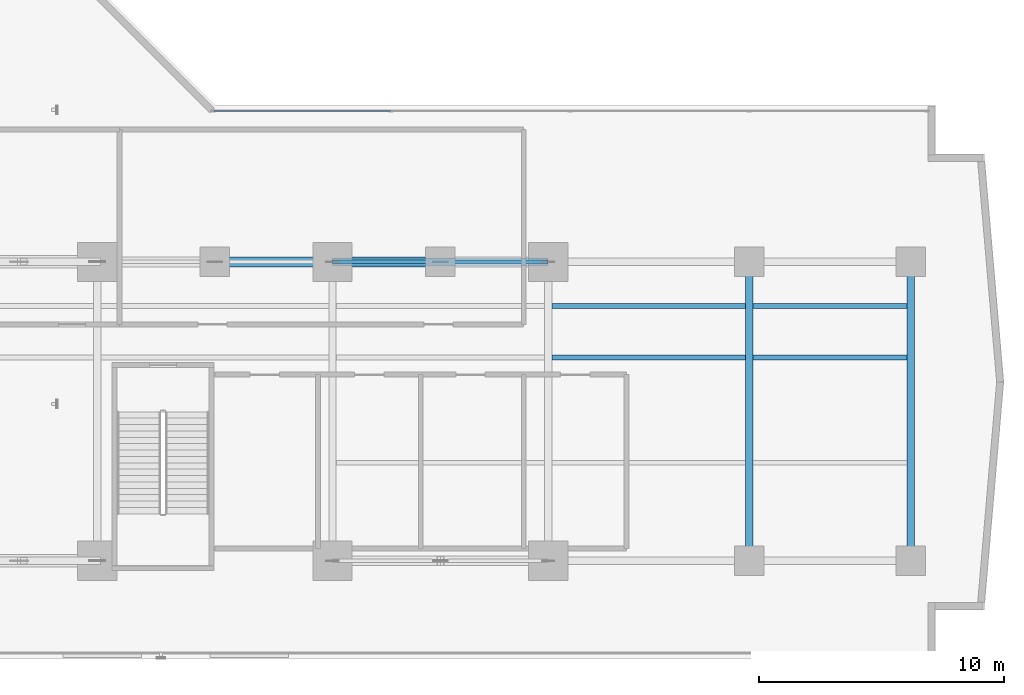
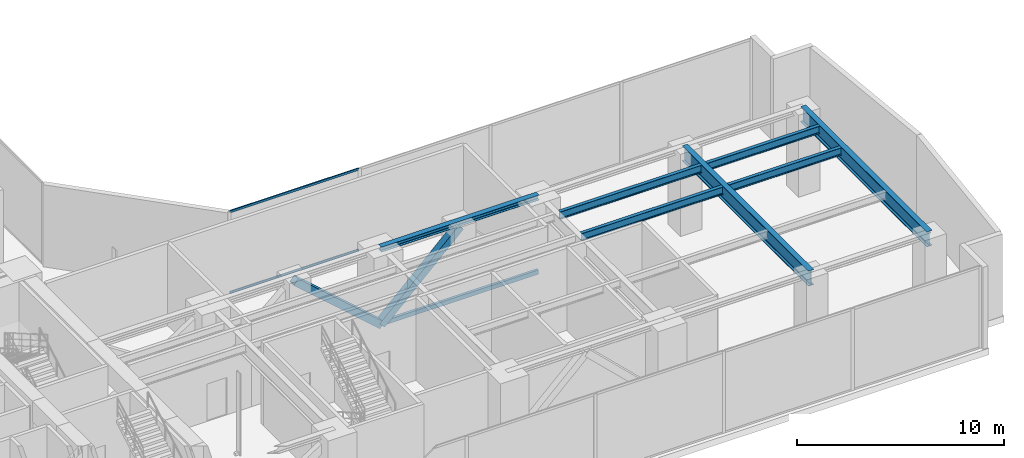
# One storey, part 19 of 36: 7 beams, 5 members, 1 element without a shape of its own.
"""IFC4 building model written with IfcOpenShell, lengths in metres."""

from ifc_helpers import new_model, si_unit, direction, frame, origin, origin_with_axes, origin_2d, place, context, subcontext, project, spatial, hollow_rectangle, i_section, extrude, source, transform, mapped, material, layer, layer_set, material_profile, profile_set, type_object, element, aggregate, save


model = new_model("IFC4")

# Units and contexts
model_context = context("Model", 3, precision=1e-05, world=origin(), true_north=direction((0.0, 1.0)))
body_context = subcontext(model_context, "Body", "Model", "MODEL_VIEW")
ifc_project = project(units=[si_unit("LENGTHUNIT", "METRE"), si_unit("AREAUNIT", "SQUARE_METRE"), si_unit("VOLUMEUNIT", "CUBIC_METRE"), si_unit("PLANEANGLEUNIT", "RADIAN"), si_unit("MASSUNIT", "GRAM", prefix="KILO")], contexts=[model_context])

# Site, building, storey
site_placement = place(None, origin())
site = spatial("IfcSite", under=ifc_project, at=site_placement, CompositionType="ELEMENT")
building_placement = place(site_placement, origin())
building = spatial("IfcBuilding", under=site, at=building_placement, Name="Kolvaren Waterfront Exchange", CompositionType="ELEMENT")
storey_placement = place(building_placement, frame((0.0, 0.0, 82.800048828125)))
storey = spatial("IfcBuildingStorey", under=building, at=storey_placement, Name="L21", CompositionType="ELEMENT", Elevation=82.800048828125)

# Beams
ifc_material_1 = material(Name="Steel S355", Category="steel")
ifc_material_profile_1 = material_profile(ifc_material_1, i_section(OverallWidth=0.300048828125, OverallDepth=0.300048828125, WebThickness=0.010986328125, FlangeThickness=0.01904296875, FilletRadius=0.027099609375, at=origin_2d()), Name="HEB300")
ifc_profile_set_1 = profile_set([ifc_material_profile_1], Name="Steel S355")
beam_type_1 = type_object("IfcBeamType", Name="STR-BM-HEB300", PredefinedType="SPANDREL", material=ifc_profile_set_1)
beam_placement = place(storey_placement, frame((36.800048828125, 17.39990234375, 4.68994140625), z_axis=(1.0, 0.0, 0.0), x_axis=(0.0, 1.0, 0.0)))
element("IfcBeam", 1, at=beam_placement, inside=storey, type_object=beam_type_1, Name="L21 east-arm spandrel N3", PredefinedType="SPANDREL", context=body_context, shape_type="SweptSolid", body=[
    extrude(i_section(OverallWidth=0.300048828125, OverallDepth=0.300048828125, WebThickness=0.010986328125, FlangeThickness=0.01904296875, FilletRadius=0.027099609375, at=origin_2d()), origin(), (0.0, 0.0, 1.0), 8.800048828125),
])
ifc_material_profile_2 = material_profile(ifc_material_1, i_section(OverallWidth=0.300048828125, OverallDepth=0.89990234375, WebThickness=0.0185546875, FlangeThickness=0.034912109375, FilletRadius=0.030029296875, at=origin_2d()), Name="HEB900")
ifc_profile_set_2 = profile_set([ifc_material_profile_2], Name="Steel S355")
beam_type_2 = type_object("IfcBeamType", Name="STR-BM-HEB900", PredefinedType="BEAM", material=ifc_profile_set_2)
for number, where, z_axis, x_axis, name in (
    (2, (53.800048828125, 5.199951171875, 4.389892578125), (0.0, 1.0, 0.0), (-1.0, 0.0, 0.0), "L21 east-arm transverse girder X53"),
    (3, (60.39990234375, 5.199951171875, 4.389892578125), (0.0, 1.0, 0.0), (-1.0, 0.0, 0.0), "L21 east-arm transverse girder X60"),
):
    element("IfcBeam", number, at=place(storey_placement, frame(where, z_axis=z_axis, x_axis=x_axis)), inside=storey, type_object=beam_type_2, Name=name, PredefinedType="BEAM", context=body_context, shape_type="SweptSolid", body=[
        extrude(i_section(OverallWidth=0.300048828125, OverallDepth=0.89990234375, WebThickness=0.0185546875, FlangeThickness=0.034912109375, FilletRadius=0.030029296875, at=origin_2d()), origin(), (0.0, 0.0, 1.0), 12.199951171875),
    ])
ifc_material_profile_3 = material_profile(ifc_material_1, i_section(OverallWidth=0.18994140625, OverallDepth=0.449951171875, WebThickness=0.009521484375, FlangeThickness=0.0146484375, FilletRadius=0.02099609375, at=origin_2d()), Name="IPE450")
ifc_profile_set_3 = profile_set([ifc_material_profile_3], Name="Steel S355")
beam_type_3 = type_object("IfcBeamType", Name="STR-BM-IPE450", PredefinedType="JOIST", material=ifc_profile_set_3)
for number, where, z_axis, x_axis, name in (
    (4, (45.751953125, 13.5, 4.614990234375), (1.0, 0.0, 0.0), (0.0, 1.0, 0.0), "L21 east-arm composite joist 4A"),
    (5, (45.751953125, 15.60009765625, 4.614990234375), (1.0, 0.0, 0.0), (0.0, 1.0, 0.0), "L21 east-arm composite joist 4C"),
):
    element("IfcBeam", number, at=place(storey_placement, frame(where, z_axis=z_axis, x_axis=x_axis)), inside=storey, type_object=beam_type_3, Name=name, PredefinedType="JOIST", context=body_context, shape_type="SweptSolid", body=[
        extrude(i_section(OverallWidth=0.18994140625, OverallDepth=0.449951171875, WebThickness=0.009521484375, FlangeThickness=0.0146484375, FilletRadius=0.02099609375, at=origin_2d()), origin(), (0.0, 0.0, 1.0), 7.89599609375),
    ])
for number, where, z_axis, x_axis, name in (
    (6, (53.951904296875, 13.5, 4.614990234375), (1.0, 0.0, 0.0), (0.0, 1.0, 0.0), "L21 east-arm composite joist 5A"),
    (7, (53.951904296875, 15.60009765625, 4.614990234375), (1.0, 0.0, 0.0), (0.0, 1.0, 0.0), "L21 east-arm composite joist 5C"),
):
    element("IfcBeam", number, at=place(storey_placement, frame(where, z_axis=z_axis, x_axis=x_axis)), inside=storey, type_object=beam_type_3, Name=name, PredefinedType="JOIST", context=body_context, shape_type="SweptSolid", body=[
        extrude(i_section(OverallWidth=0.18994140625, OverallDepth=0.449951171875, WebThickness=0.009521484375, FlangeThickness=0.0146484375, FilletRadius=0.02099609375, at=origin_2d()), origin(), (0.0, 0.0, 1.0), 6.296142578125),
    ])

# Members
ifc_material_2 = material(Name="Steel S460", Category="steel")
ifc_material_profile_4 = material_profile(ifc_material_2, hollow_rectangle(XDim=0.14990234375, YDim=0.25, WallThickness=0.010009765625, at=origin_2d()), Name="RHS250x150x10")
ifc_profile_set_4 = profile_set([ifc_material_profile_4], Name="Steel S460")
member_type_1 = type_object("IfcMemberType", Name="STR-BR-RHS250", PredefinedType="CHORD", material=ifc_profile_set_4)
member_1_placement = place(storey_placement, frame((36.800048828125, 17.39990234375, 0.25), z_axis=(1.0, 0.0, 0.0), x_axis=(0.0, 1.0, 0.0)))
element("IfcMember", 8, at=member_1_placement, inside=storey, type_object=member_type_1, Name="L21 belt-truss bottom chord BT2", PredefinedType="CHORD", context=body_context, shape_type="SweptSolid", body=[
    extrude(hollow_rectangle(XDim=0.14990234375, YDim=0.25, WallThickness=0.010009765625, at=origin_2d()), origin(), (0.0, 0.0, 1.0), 8.800048828125),
])
ifc_material_profile_5 = material_profile(ifc_material_2, hollow_rectangle(XDim=0.39990234375, YDim=0.39990234375, WallThickness=0.02001953125, at=origin_2d()), Name="SHS400x400x20")
ifc_profile_set_5 = profile_set([ifc_material_profile_5], Name="Steel S460")
member_type_2 = type_object("IfcMemberType", Name="STR-BR-SHS400", PredefinedType="BRACE", material=ifc_profile_set_5)
member_2_placement = place(storey_placement, frame((36.800048828125, 17.39990234375, 0.25), z_axis=(-0.749477309861, 0.0, 0.662030031044), x_axis=(0.0, -1.0, 0.0)))
element("IfcMember", 9, at=member_2_placement, inside=storey, type_object=member_type_2, Name="L21 belt-truss chevron brace BT1R", PredefinedType="BRACE", context=body_context, shape_type="SweptSolid", body=[
    extrude(hollow_rectangle(XDim=0.39990234375, YDim=0.39990234375, WallThickness=0.02001953125, at=origin_2d()), origin(), (0.0, 0.0, 1.0), 6.404541015625),
])
member_3_placement = place(storey_placement, frame((36.800048828125, 17.39990234375, 0.25), z_axis=(0.720070995005, 0.0, 0.693900397861), x_axis=(0.0, 1.0, 0.0)))
element("IfcMember", 10, at=member_3_placement, inside=storey, type_object=member_type_2, Name="L21 belt-truss chevron brace BT2L", PredefinedType="BRACE", context=body_context, shape_type="SweptSolid", body=[
    extrude(hollow_rectangle(XDim=0.39990234375, YDim=0.39990234375, WallThickness=0.02001953125, at=origin_2d()), origin(), (0.0, 0.0, 1.0), 6.1103515625),
])

# Curtain wall, members
ifc_material_3 = material(Name="Anodised dark bronze spandrel aluminium", Category="aluminium")
ifc_layer = layer(ifc_material_3, 0.219970703125, Name="Anodised dark bronze spandrel aluminium")
ifc_layer_set = layer_set([ifc_layer], Name="Anodised dark bronze spandrel aluminium")
curtain_wall_type = type_object("IfcCurtainWallType", Name="ARC-CW-SYS6", PredefinedType="USERDEFINED", material=ifc_layer_set)
curtain_wall_placement = place(storey_placement, origin())
curtain_wall = element("IfcCurtainWall", 11, at=curtain_wall_placement, inside=storey, type_object=curtain_wall_type, Name="L21 stick curtain wall CW6 (CW-L21-EN)", ObjectType="STICK CURTAIN WALL", PredefinedType="USERDEFINED")
ifc_material_4 = material(Name="Anodised bronze aluminium 6063-T6", Category="aluminium")
ifc_material_profile_6 = material_profile(ifc_material_4, hollow_rectangle(XDim=0.06494140625, YDim=0.1298828125, WallThickness=0.00390625, at=origin_2d()), Name="ALU-TRN-130x65x4")
ifc_profile_set_6 = profile_set([ifc_material_profile_6], Name="Anodised bronze aluminium 6063-T6")
member_type_3 = type_object("IfcMemberType", Name="ARC-CWT-130", PredefinedType="USERDEFINED", material=ifc_profile_set_6)
shared_shape = source(origin_with_axes(), body_context, "Body", "SweptSolid", [
    extrude(hollow_rectangle(XDim=0.06494140625, YDim=0.1298828125, WallThickness=0.00390625, at=origin_2d()), origin(), (0.0, 0.0, 1.0), 7.18994140625),
])
member_4_placement = place(storey_placement, frame((31.965087890625, 23.56005859375, 0.032470703125), z_axis=(1.0, 0.0, 0.0), x_axis=(0.0, 1.0, 0.0)))
member_4 = element("IfcMember", 12, at=member_4_placement, type_object=member_type_3, Name="CW6 transom 1.1", ObjectType="TRANSOM", PredefinedType="USERDEFINED", context=body_context, shape_type="MappedRepresentation", body=[
    mapped(shared_shape, transform((0.0, 0.0, 0.0), x_axis=(1.0, 0.0, 0.0), y_axis=(0.0, 1.0, 0.0), z_axis=(0.0, 0.0, 1.0), scale=1.0)),
])
member_5_placement = place(storey_placement, frame((31.965087890625, 23.56005859375, 4.807373046875), z_axis=(1.0, 0.0, 0.0), x_axis=(0.0, 1.0, 0.0)))
member_5 = element("IfcMember", 13, at=member_5_placement, type_object=member_type_3, Name="CW6 transom 1.2", ObjectType="TRANSOM", PredefinedType="USERDEFINED", context=body_context, shape_type="MappedRepresentation", body=[
    mapped(shared_shape, transform((0.0, 0.0, 0.0), x_axis=(1.0, 0.0, 0.0), y_axis=(0.0, 1.0, 0.0), z_axis=(0.0, 0.0, 1.0), scale=1.0)),
])
aggregate(curtain_wall, [member_4, member_5])

save(model, "model.ifc")
